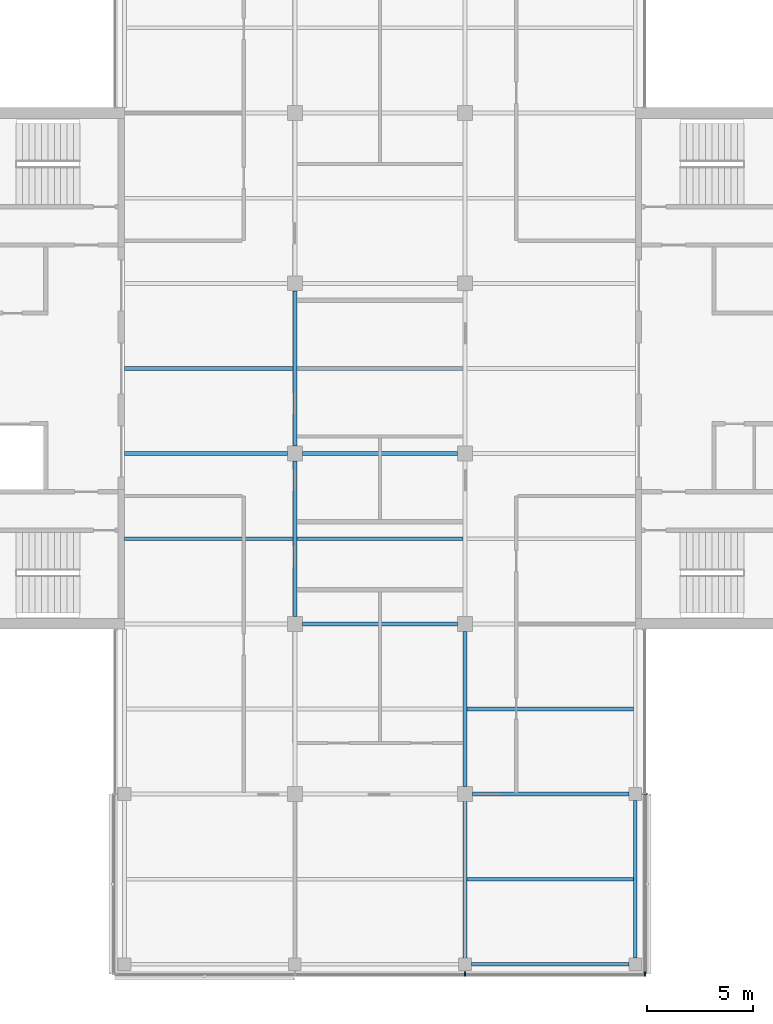
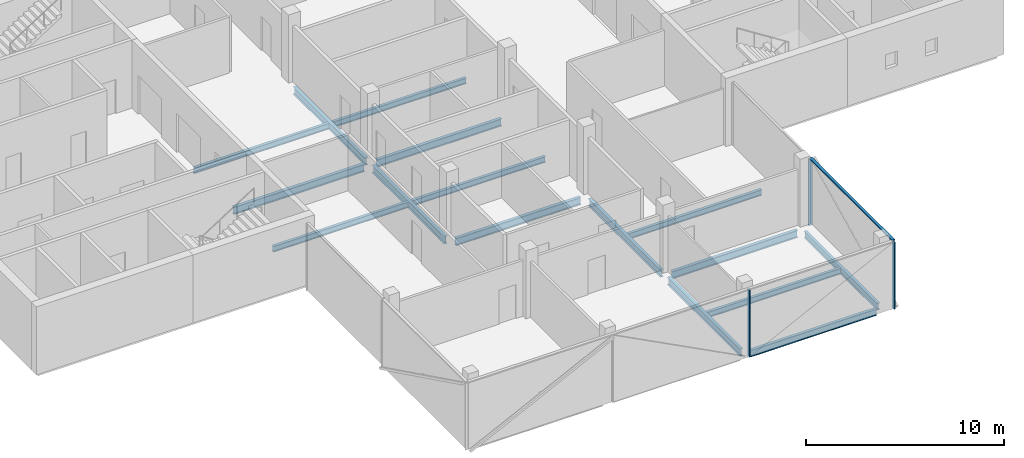
# One storey, part 3 of 16: 16 beams, 4 members, 2 elements without a shape of their own.
"""IFC4 building model written with IfcOpenShell, lengths in metres."""

from ifc_helpers import new_model, si_unit, direction, frame, origin, origin_2d, place, context, subcontext, project, spatial, rectangle, i_section, extrude, material, material_profile, profile_set, type_object, element, aggregate, save


model = new_model("IFC4")

# Units and contexts
model_context = context("Model", 3, precision=1e-05, world=origin(), true_north=direction((0.0, 1.0)))
body_context = subcontext(model_context, "Body", "Model", "MODEL_VIEW")
ifc_project = project(units=[si_unit("LENGTHUNIT", "METRE"), si_unit("AREAUNIT", "SQUARE_METRE"), si_unit("VOLUMEUNIT", "CUBIC_METRE"), si_unit("PLANEANGLEUNIT", "RADIAN"), si_unit("MASSUNIT", "GRAM", prefix="KILO")], contexts=[model_context])

# Site, building, storey
site_placement = place(None, origin())
site = spatial("IfcSite", under=ifc_project, at=site_placement, CompositionType="ELEMENT")
building_placement = place(site_placement, origin())
building = spatial("IfcBuilding", under=site, at=building_placement, Name="Crosswind Convention Tower", CompositionType="ELEMENT")
storey_placement = place(building_placement, frame((0.0, 0.0, 253.5)))
storey = spatial("IfcBuildingStorey", under=building, at=storey_placement, Name="L54", CompositionType="ELEMENT", Elevation=253.5)

# Beams
ifc_material_1 = material(Name="Steel S355", Category="steel")
ifc_material_profile_1 = material_profile(ifc_material_1, i_section(OverallWidth=0.177734375, OverallDepth=0.406494140625, WebThickness=0.0078125, FlangeThickness=0.0126953125, FilletRadius=0.01025390625, at=origin_2d()), Name="UB 406x178x60")
ifc_profile_set_1 = profile_set([ifc_material_profile_1], Name="Steel S355")
beam_type_1 = type_object("IfcBeamType", Name="Edge beam UB 406x178x60", PredefinedType="SPANDREL", material=ifc_profile_set_1)
for number, where, z_axis, x_axis, name in (
    (1, (129.300048828125, 72.0, -0.503173828125), (1.0, 0.0, 0.0), (0.0, 1.0, 0.0), "B15 L54 edge beam 9"),
    (2, (137.0, 72.300048828125, -0.503173828125), (0.0, 1.0, 0.0), (-1.0, 0.0, 0.0), "B15 L54 edge beam 11"),
):
    element("IfcBeam", number, at=place(storey_placement, frame(where, z_axis=z_axis, x_axis=x_axis)), inside=storey, type_object=beam_type_1, Name=name, PredefinedType="SPANDREL", context=body_context, shape_type="SweptSolid", body=[
        extrude(i_section(OverallWidth=0.177734375, OverallDepth=0.406494140625, WebThickness=0.0078125, FlangeThickness=0.0126953125, FilletRadius=0.01025390625, at=origin_2d()), origin(), (0.0, 0.0, 1.0), 7.39990234375),
    ])
ifc_material_profile_2 = material_profile(ifc_material_1, i_section(OverallWidth=0.18994140625, OverallDepth=0.45361328125, WebThickness=0.008544921875, FlangeThickness=0.0126953125, FilletRadius=0.01025390625, at=origin_2d()), Name="UB 457x191x67")
ifc_profile_set_2 = profile_set([ifc_material_profile_2], Name="Steel S355")
beam_type_2 = type_object("IfcBeamType", Name="Girder UB 457x191x67", PredefinedType="BEAM", material=ifc_profile_set_2)
for number, where, z_axis, x_axis, name in (
    (3, (121.0, 88.35009765625, -0.52685546875), (0.0, 1.0, 0.0), (-1.0, 0.0, 0.0), "B1 L54 girder 5"),
    (4, (121.0, 96.35009765625, -0.52685546875), (0.0, 1.0, 0.0), (-1.0, 0.0, 0.0), "B1 L54 girder 6"),
    (5, (121.35009765625, 88.0, -0.52685546875), (1.0, 0.0, 0.0), (0.0, 1.0, 0.0), "B1 L54 girder 11"),
    (6, (121.35009765625, 96.0, -0.52685546875), (1.0, 0.0, 0.0), (0.0, 1.0, 0.0), "B1 L54 girder 12"),
):
    element("IfcBeam", number, at=place(storey_placement, frame(where, z_axis=z_axis, x_axis=x_axis)), inside=storey, type_object=beam_type_2, Name=name, PredefinedType="BEAM", context=body_context, shape_type="SweptSolid", body=[
        extrude(i_section(OverallWidth=0.18994140625, OverallDepth=0.45361328125, WebThickness=0.008544921875, FlangeThickness=0.0126953125, FilletRadius=0.01025390625, at=origin_2d()), origin(), (0.0, 0.0, 1.0), 7.2998046875),
    ])
beam_1_placement = place(storey_placement, frame((129.0, 72.300048828125, -0.52685546875), z_axis=(0.0, 1.0, 0.0), x_axis=(-1.0, 0.0, 0.0)))
element("IfcBeam", 7, at=beam_1_placement, inside=storey, type_object=beam_type_2, Name="B1 L54 girder 16", PredefinedType="BEAM", context=body_context, shape_type="SweptSolid", body=[
    extrude(i_section(OverallWidth=0.18994140625, OverallDepth=0.45361328125, WebThickness=0.008544921875, FlangeThickness=0.0126953125, FilletRadius=0.01025390625, at=origin_2d()), origin(), (0.0, 0.0, 1.0), 7.349853515625),
])
beam_2_placement = place(storey_placement, frame((129.0, 80.35009765625, -0.52685546875), z_axis=(0.0, 1.0, 0.0), x_axis=(-1.0, 0.0, 0.0)))
element("IfcBeam", 8, at=beam_2_placement, inside=storey, type_object=beam_type_2, Name="B1 L54 girder 17", PredefinedType="BEAM", context=body_context, shape_type="SweptSolid", body=[
    extrude(i_section(OverallWidth=0.18994140625, OverallDepth=0.45361328125, WebThickness=0.008544921875, FlangeThickness=0.0126953125, FilletRadius=0.01025390625, at=origin_2d()), origin(), (0.0, 0.0, 1.0), 7.2998046875),
])
beam_3_placement = place(storey_placement, frame((129.35009765625, 80.0, -0.52685546875), z_axis=(1.0, 0.0, 0.0), x_axis=(0.0, 1.0, 0.0)))
element("IfcBeam", 9, at=beam_3_placement, inside=storey, type_object=beam_type_2, Name="B1 L54 girder 23", PredefinedType="BEAM", context=body_context, shape_type="SweptSolid", body=[
    extrude(i_section(OverallWidth=0.18994140625, OverallDepth=0.45361328125, WebThickness=0.008544921875, FlangeThickness=0.0126953125, FilletRadius=0.01025390625, at=origin_2d()), origin(), (0.0, 0.0, 1.0), 7.349853515625),
])
ifc_material_profile_3 = material_profile(ifc_material_1, i_section(OverallWidth=0.1904296875, OverallDepth=0.457275390625, WebThickness=0.009033203125, FlangeThickness=0.014404296875, FilletRadius=0.01025390625, at=origin_2d()), Name="UB 457x191x75")
ifc_profile_set_3 = profile_set([ifc_material_profile_3], Name="Steel S355")
beam_type_3 = type_object("IfcBeamType", Name="Girder at core wall UB 457x191x75", PredefinedType="BEAM", material=ifc_profile_set_3)
beam_4_placement = place(storey_placement, frame((113.0, 96.0, -0.528564453125), z_axis=(1.0, 0.0, 0.0), x_axis=(0.0, 1.0, 0.0)))
element("IfcBeam", 10, at=beam_4_placement, inside=storey, type_object=beam_type_3, Name="B22 L54 girder at core wall 2", PredefinedType="BEAM", context=body_context, shape_type="SweptSolid", body=[
    extrude(i_section(OverallWidth=0.1904296875, OverallDepth=0.457275390625, WebThickness=0.009033203125, FlangeThickness=0.014404296875, FilletRadius=0.01025390625, at=origin_2d()), origin(), (0.0, 0.0, 1.0), 7.64990234375),
])

# Curtain wall, members
ifc_material_2 = material(Name="Aluminium unitised curtain wall", Category="aluminium")
curtain_wall_type = type_object("IfcCurtainWallType", Name="OFFICE UNITISED WALL 220", PredefinedType="USERDEFINED", material=ifc_material_2)
curtain_wall_1_placement = place(storey_placement, origin())
curtain_wall_1 = element("IfcCurtainWall", 11, at=curtain_wall_1_placement, inside=storey, type_object=curtain_wall_type, Name="CW3 L54 S-TIP 1", ObjectType="UNITISED", PredefinedType="USERDEFINED")
ifc_material_3 = material(Name="Aluminium mullion", Category="aluminium")
ifc_material_profile_4 = material_profile(ifc_material_3, rectangle(XDim=0.219970703125, YDim=0.070068359375, at=origin_2d()), Name="AL 220X70")
ifc_profile_set_4 = profile_set([ifc_material_profile_4], Name="Aluminium mullion")
member_type_1 = type_object("IfcMemberType", Name="MULLION 70X220", PredefinedType="MULLION", material=ifc_profile_set_4)
member_1_placement = place(storey_placement, frame((129.0, 71.5400390625, -0.300048828125), z_axis=(0.0, 0.0, 1.0), x_axis=(0.0, -1.0, 0.0)))
member_1 = element("IfcMember", 12, at=member_1_placement, type_object=member_type_1, Name="CW3 mullion 3", PredefinedType="MULLION", context=body_context, shape_type="SweptSolid", body=[
    extrude(rectangle(XDim=0.219970703125, YDim=0.070068359375, at=origin_2d()), origin(), (0.0, 0.0, 1.0), 4.130126953125),
])
member_2_placement = place(storey_placement, frame((137.4599609375, 71.5400390625, -0.300048828125), z_axis=(0.0, 0.0, 1.0), x_axis=(0.0, -1.0, 0.0)))
member_2 = element("IfcMember", 13, at=member_2_placement, type_object=member_type_1, Name="CW3 mullion 4", PredefinedType="MULLION", context=body_context, shape_type="SweptSolid", body=[
    extrude(rectangle(XDim=0.219970703125, YDim=0.070068359375, at=origin_2d()), origin(), (0.0, 0.0, 1.0), 4.130126953125),
])
aggregate(curtain_wall_1, [member_1, member_2])

# Curtain wall, member
curtain_wall_2_placement = place(storey_placement, origin())
curtain_wall_2 = element("IfcCurtainWall", 14, at=curtain_wall_2_placement, inside=storey, type_object=curtain_wall_type, Name="CW3 L54 S-E 1", ObjectType="UNITISED", PredefinedType="USERDEFINED")
member_3_placement = place(storey_placement, frame((137.4599609375, 80.0, -0.300048828125), z_axis=(0.0, 0.0, 1.0), x_axis=(1.0, 0.0, 0.0)))
member_3 = element("IfcMember", 15, at=member_3_placement, type_object=member_type_1, Name="CW3 mullion 2", PredefinedType="MULLION", context=body_context, shape_type="SweptSolid", body=[
    extrude(rectangle(XDim=0.219970703125, YDim=0.070068359375, at=origin_2d()), origin(), (0.0, 0.0, 1.0), 4.130126953125),
])

# Beams
ifc_material_profile_5 = material_profile(ifc_material_1, i_section(OverallWidth=0.17138671875, OverallDepth=0.355712890625, WebThickness=0.00732421875, FlangeThickness=0.011474609375, FilletRadius=0.01025390625, at=origin_2d()), Name="UB 356x171x51")
ifc_profile_set_5 = profile_set([ifc_material_profile_5], Name="Steel S355")
beam_type_4 = type_object("IfcBeamType", Name="Secondary beam UB 356x171x51", PredefinedType="JOIST", material=ifc_profile_set_5)
for number, where, z_axis, x_axis, name in (
    (16, (113.0, 92.0, -0.477783203125), (1.0, 0.0, 0.0), (0.0, 1.0, 0.0), "B8 L54 secondary beam 1"),
    (17, (113.0, 100.0, -0.477783203125), (1.0, 0.0, 0.0), (0.0, 1.0, 0.0), "B8 L54 secondary beam 2"),
):
    element("IfcBeam", number, at=place(storey_placement, frame(where, z_axis=z_axis, x_axis=x_axis)), inside=storey, type_object=beam_type_4, Name=name, PredefinedType="JOIST", context=body_context, shape_type="SweptSolid", body=[
        extrude(i_section(OverallWidth=0.17138671875, OverallDepth=0.355712890625, WebThickness=0.00732421875, FlangeThickness=0.011474609375, FilletRadius=0.01025390625, at=origin_2d()), origin(), (0.0, 0.0, 1.0), 7.905029296875),
    ])
for number, where, z_axis, x_axis, name in (
    (18, (121.094970703125, 92.0, -0.477783203125), (1.0, 0.0, 0.0), (0.0, 1.0, 0.0), "B8 L54 secondary beam 10"),
    (19, (121.094970703125, 100.0, -0.477783203125), (1.0, 0.0, 0.0), (0.0, 1.0, 0.0), "B8 L54 secondary beam 11"),
):
    element("IfcBeam", number, at=place(storey_placement, frame(where, z_axis=z_axis, x_axis=x_axis)), inside=storey, type_object=beam_type_4, Name=name, PredefinedType="JOIST", context=body_context, shape_type="SweptSolid", body=[
        extrude(i_section(OverallWidth=0.17138671875, OverallDepth=0.355712890625, WebThickness=0.00732421875, FlangeThickness=0.011474609375, FilletRadius=0.01025390625, at=origin_2d()), origin(), (0.0, 0.0, 1.0), 7.81005859375),
    ])
for number, where, z_axis, x_axis, name in (
    (20, (129.094970703125, 76.0, -0.477783203125), (1.0, 0.0, 0.0), (0.0, 1.0, 0.0), "B8 L54 secondary beam 15"),
    (21, (129.094970703125, 84.0, -0.477783203125), (1.0, 0.0, 0.0), (0.0, 1.0, 0.0), "B8 L54 secondary beam 16"),
):
    element("IfcBeam", number, at=place(storey_placement, frame(where, z_axis=z_axis, x_axis=x_axis)), inside=storey, type_object=beam_type_4, Name=name, PredefinedType="JOIST", context=body_context, shape_type="SweptSolid", body=[
        extrude(i_section(OverallWidth=0.17138671875, OverallDepth=0.355712890625, WebThickness=0.00732421875, FlangeThickness=0.011474609375, FilletRadius=0.01025390625, at=origin_2d()), origin(), (0.0, 0.0, 1.0), 7.816162109375),
    ])

# Member
ifc_material_4 = material(Name="Aluminium transom", Category="aluminium")
ifc_material_profile_6 = material_profile(ifc_material_4, rectangle(XDim=0.159912109375, YDim=0.070068359375, at=origin_2d()), Name="AL 160X70")
ifc_profile_set_6 = profile_set([ifc_material_profile_6], Name="Aluminium transom")
member_type_2 = type_object("IfcMemberType", Name="TRANSOM 70X160", PredefinedType="USERDEFINED", material=ifc_profile_set_6)
member_4_placement = place(storey_placement, frame((137.4599609375, 71.574951171875, 3.864990234375), z_axis=(0.0, 1.0, 0.0), x_axis=(-1.0, 0.0, 0.0)))
member_4 = element("IfcMember", 22, at=member_4_placement, type_object=member_type_2, Name="CW3 transom", ObjectType="TRANSOM", PredefinedType="USERDEFINED", context=body_context, shape_type="SweptSolid", body=[
    extrude(rectangle(XDim=0.159912109375, YDim=0.070068359375, at=origin_2d()), origin(), (0.0, 0.0, 1.0), 8.39013671875),
])

aggregate(curtain_wall_2, [member_3, member_4])

save(model, "model.ifc")
